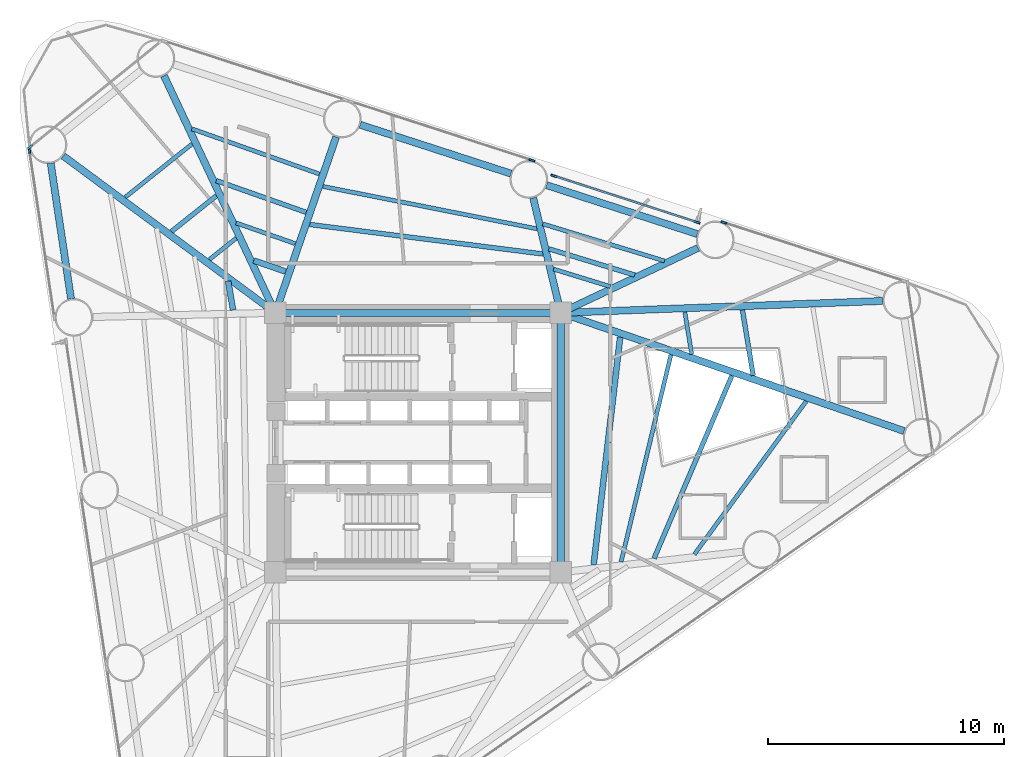
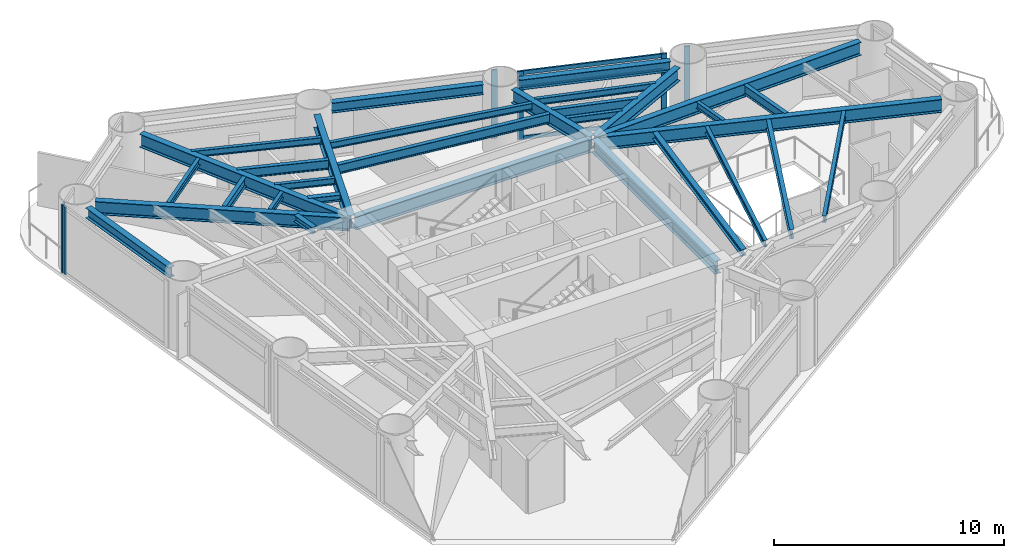
# One storey, part 3 of 9: 31 beams, 9 members, 5 elements without a shape of their own.
"""IFC4 building model written with IfcOpenShell, lengths in metres."""

import ifcopenshell
import ifcopenshell.guid

model = None  # the IFC model being written
_history = None  # IfcOwnerHistory: only IFC2X3 demands one
_inside = {}  # id of a spatial element -> (the spatial element, [elements in it])
_under = {}  # id of a project, library or spatial element -> (it, [spatial elements below it])
_declared = {}  # id of a project -> (the project, [libraries it declares])
_typed = {}  # id of a type object -> (the type object, [elements of that type])
_made_of = {}  # id of a material, layer set ... -> (it, [elements and type objects made of it])


def new_model(schema):
    """Start an empty IFC model of exactly this schema.

    Asked for "IFC4X3", IfcOpenShell would pick the latest addendum, in which some entities
    have other attributes; the version numbers below select the first issue.
    IFC2X3 requires an IfcOwnerHistory on every rooted entity: one is made here for all.
    """
    global model, _history
    if schema == "IFC4X3":
        model = ifcopenshell.file(schema_version=(4, 3, 0, 0))
    else:
        model = ifcopenshell.file(schema=schema)
    _inside.clear()
    _under.clear()
    _declared.clear()
    _typed.clear()
    _made_of.clear()
    _history = None
    if model.schema == "IFC2X3":
        org = make("IfcOrganization", Name="unknown")
        user = make(
            "IfcPersonAndOrganization",
            ThePerson=make("IfcPerson", FamilyName="unknown"),
            TheOrganization=org,
        )
        app = make(
            "IfcApplication",
            ApplicationDeveloper=org,
            Version="unknown",
            ApplicationFullName="unknown",
            ApplicationIdentifier="unknown",
        )
        _history = make(
            "IfcOwnerHistory",
            OwningUser=user,
            OwningApplication=app,
            ChangeAction="ADDED",
            CreationDate=0,
        )
    return model


def make(cls, **values):
    """One entity of the class cls with the attributes given. An attribute that is None is left unset."""
    return model.create_entity(
        cls, **{name: value for name, value in values.items() if value is not None}
    )


def rooted(cls, **values):
    """An entity with a GlobalId (a new one), such as an element, a storey or a relation."""
    return make(cls, GlobalId=ifcopenshell.guid.new(), OwnerHistory=_history, **values)


def si_unit(unit_type, name, prefix=None):
    """IfcSIUnit, for example si_unit("LENGTHUNIT", "METRE", prefix="MILLI")."""
    return make("IfcSIUnit", UnitType=unit_type, Prefix=prefix, Name=name)


def assignment(units):
    """IfcUnitAssignment: the units of a project."""
    return None if units is None else make("IfcUnitAssignment", Units=units)


def point(xyz):
    """IfcCartesianPoint."""
    return None if xyz is None else make("IfcCartesianPoint", Coordinates=xyz)


def direction(xyz):
    """IfcDirection."""
    return None if xyz is None else make("IfcDirection", DirectionRatios=xyz)


def frame(location, z_axis=None, x_axis=None):
    """IfcAxis2Placement3D, a coordinate frame: its origin and axes. An axis left out is left unset."""
    return make(
        "IfcAxis2Placement3D",
        Location=point(location),
        Axis=direction(z_axis),
        RefDirection=direction(x_axis),
    )


def frame_2d(location, x_axis=None):
    """IfcAxis2Placement2D, a coordinate frame in the plane: its origin and x axis."""
    return make(
        "IfcAxis2Placement2D", Location=point(location), RefDirection=direction(x_axis)
    )


def origin():
    """The frame at (0, 0, 0) with its axes left unset."""
    return frame((0.0, 0.0, 0.0))


def origin_2d():
    """The frame at (0, 0) in the plane with its x axis left unset."""
    return frame_2d((0.0, 0.0))


def place(relative_to, where):
    """IfcLocalPlacement: puts the frame where relative to a parent placement (None: the world)."""
    return make(
        "IfcLocalPlacement", PlacementRelTo=relative_to, RelativePlacement=where
    )


def context(
    kind, dimensions, precision=None, world=None, true_north=None, identifier=None
):
    """IfcGeometricRepresentationContext, for example the 3D "Model" context."""
    return make(
        "IfcGeometricRepresentationContext",
        ContextIdentifier=identifier,
        ContextType=kind,
        CoordinateSpaceDimension=dimensions,
        Precision=precision,
        WorldCoordinateSystem=world,
        TrueNorth=true_north,
    )


def subcontext(parent, identifier, kind, view, scale=None):
    """IfcGeometricRepresentationSubContext, for example "Body" below "Model"."""
    return make(
        "IfcGeometricRepresentationSubContext",
        ContextIdentifier=identifier,
        ContextType=kind,
        ParentContext=parent,
        TargetScale=scale,
        TargetView=view,
    )


def project(units=None, contexts=None):
    """IfcProject with its units and contexts."""
    return rooted(
        "IfcProject",
        Name="project",
        RepresentationContexts=contexts,
        UnitsInContext=assignment(units),
    )


def spatial(cls, under=None, at=None, **own):
    """A site, building, storey or space (cls), placed at a placement, below another one or the project."""
    s = rooted(cls, ObjectPlacement=at, **own)
    if under is not None:
        _under.setdefault(under.id(), (under, []))[1].append(s)
    return s


def profile(cls, at=None, kind="AREA", **sizes):
    """A parametric profile (cls). Its sizes go by their IFC names, for example OverallWidth=200.0."""
    return make(cls, ProfileType=kind, Position=at, **sizes)


def rectangle(**sizes):
    """IfcRectangleProfileDef."""
    return profile("IfcRectangleProfileDef", **sizes)


def i_section(**sizes):
    """IfcIShapeProfileDef."""
    return profile("IfcIShapeProfileDef", **sizes)


def extrude(swept, where, along, depth):
    """IfcExtrudedAreaSolid: the profile swept, set in the frame where, extruded along a direction by depth."""
    return make(
        "IfcExtrudedAreaSolid",
        SweptArea=swept,
        Position=where,
        ExtrudedDirection=direction(along),
        Depth=depth,
    )


def shape(context_of_items, identifier, shape_type, items):
    """IfcShapeRepresentation: the items that make up one representation, for example the "Body"."""
    return make(
        "IfcShapeRepresentation",
        ContextOfItems=context_of_items,
        RepresentationIdentifier=identifier,
        RepresentationType=shape_type,
        Items=items,
    )


def source(mapping_origin, context_of_items, identifier, shape_type, items):
    """IfcRepresentationMap: a shape defined once, which mapped items show again and again."""
    return make(
        "IfcRepresentationMap",
        MappingOrigin=mapping_origin,
        MappedRepresentation=shape(context_of_items, identifier, shape_type, items),
    )


def transform(
    local_origin,
    x_axis=None,
    y_axis=None,
    z_axis=None,
    scale=None,
    scale2=None,
    scale3=None,
    uniform=True,
):
    """IfcCartesianTransformationOperator3D, or its non-uniform kind. x_axis, y_axis, z_axis: its Axis1, 2, 3."""
    if uniform:
        return make(
            "IfcCartesianTransformationOperator3D",
            Axis1=direction(x_axis),
            Axis2=direction(y_axis),
            LocalOrigin=point(local_origin),
            Scale=scale,
            Axis3=direction(z_axis),
        )
    return make(
        "IfcCartesianTransformationOperator3DnonUniform",
        Axis1=direction(x_axis),
        Axis2=direction(y_axis),
        LocalOrigin=point(local_origin),
        Scale=scale,
        Axis3=direction(z_axis),
        Scale2=scale2,
        Scale3=scale3,
    )


def mapped(mapping_source, mapping_target):
    """IfcMappedItem: shows the shape of a source again, moved by a transform."""
    return make(
        "IfcMappedItem", MappingSource=mapping_source, MappingTarget=mapping_target
    )


def material(Name=None, Category=None):
    """IfcMaterial."""
    return make("IfcMaterial", Name=Name, Category=Category)


def layer(
    of_material, thickness, ventilated=None, Name=None, Category=None, Priority=None
):
    """IfcMaterialLayer: one layer of a wall or slab, of a material (None: an air gap)."""
    return make(
        "IfcMaterialLayer",
        Material=of_material,
        LayerThickness=thickness,
        IsVentilated=ventilated,
        Name=Name,
        Category=Category,
        Priority=Priority,
    )


def layer_set(layers, Name=None):
    """IfcMaterialLayerSet."""
    return make("IfcMaterialLayerSet", MaterialLayers=layers, LayerSetName=Name)


def material_profile(
    of_material, cross_section, Name=None, Category=None, Priority=None
):
    """IfcMaterialProfile: a cross section and its material."""
    return make(
        "IfcMaterialProfile",
        Name=Name,
        Material=of_material,
        Profile=cross_section,
        Priority=Priority,
        Category=Category,
    )


def profile_set(profiles, Name=None, composite=None):
    """IfcMaterialProfileSet."""
    return make(
        "IfcMaterialProfileSet",
        Name=Name,
        MaterialProfiles=profiles,
        CompositeProfile=composite,
    )


def made_of(thing, what):
    """Note that an element or type object is made of a material, layer set ...; save() writes the relation."""
    if what is not None:
        _made_of.setdefault(what.id(), (what, []))[1].append(thing)
    return thing


def type_object(cls, material=None, **own):
    """A type object (cls), such as IfcWallType, which elements share."""
    return made_of(rooted(cls, **own), material)


def element(
    cls,
    number,
    at=None,
    inside=None,
    cuts=None,
    type_object=None,
    material=None,
    context=None,
    identifier="Body",
    shape_type=None,
    held_by="IfcProductDefinitionShape",
    body=None,
    shapes=None,
    **own,
):
    """One element of the class cls, such as IfcWall. Its Tag is "e" and its number.

    at: its placement. inside: the storey or other place that contains it. cuts: it is an
    opening in that element (IfcRelVoidsElement). A single representation is given by context,
    identifier, shape_type and body (its items); several are given by shapes. held_by: the class
    of the entity that holds the representations. save() writes the other relations.
    """
    e = rooted(cls, Tag="e%d" % number, ObjectPlacement=at, **own)
    if body is not None:
        shapes = [shape(context, identifier, shape_type, body)]
    if shapes is not None:
        e.Representation = make(held_by, Representations=shapes)
    if inside is not None:
        _inside.setdefault(inside.id(), (inside, []))[1].append(e)
    if cuts is not None:
        rooted(
            "IfcRelVoidsElement", RelatingBuildingElement=cuts, RelatedOpeningElement=e
        )
    if type_object is not None:
        _typed.setdefault(type_object.id(), (type_object, []))[1].append(e)
    return made_of(e, material)


def aggregate(whole, parts):
    """IfcRelAggregates: a whole, such as a stair, and the parts it consists of."""
    return rooted("IfcRelAggregates", RelatingObject=whole, RelatedObjects=parts)


def save(model, path):
    """Write the relations noted so far, then the file.

    IfcRelAggregates (storeys below a building ...), IfcRelContainedInSpatialStructure (elements
    in a storey), IfcRelDefinesByType, IfcRelAssociatesMaterial and IfcRelDeclares: one each for
    every whole, place, type object, material and project.
    """
    for whole, parts in _under.values():
        aggregate(whole, parts)
    for where, things in _inside.values():
        rooted(
            "IfcRelContainedInSpatialStructure",
            RelatedElements=things,
            RelatingStructure=where,
        )
    for kind, things in _typed.values():
        rooted("IfcRelDefinesByType", RelatedObjects=things, RelatingType=kind)
    for what, things in _made_of.values():
        rooted("IfcRelAssociatesMaterial", RelatedObjects=things, RelatingMaterial=what)
    for by, libraries in _declared.values():
        rooted("IfcRelDeclares", RelatingContext=by, RelatedDefinitions=libraries)
    model.write(path)


model = new_model("IFC4")

# Units and contexts
model_context = context("Model", 3, precision=1e-05, world=origin(), true_north=direction((0.0, 1.0)))
body_context = subcontext(model_context, "Body", "Model", "MODEL_VIEW")
ifc_project = project(units=[si_unit("LENGTHUNIT", "METRE"), si_unit("AREAUNIT", "SQUARE_METRE"), si_unit("VOLUMEUNIT", "CUBIC_METRE"), si_unit("PLANEANGLEUNIT", "RADIAN"), si_unit("MASSUNIT", "GRAM", prefix="KILO")], contexts=[model_context])

# Site, building, storey
site_placement = place(None, origin())
site = spatial("IfcSite", under=ifc_project, at=site_placement, CompositionType="ELEMENT")
building_placement = place(site_placement, origin())
building = spatial("IfcBuilding", under=site, at=building_placement, Name="Yunling Apex Tower", CompositionType="ELEMENT")
storey_placement = place(building_placement, frame((0.0, 0.0, 81.050048828125)))
storey = spatial("IfcBuildingStorey", under=building, at=storey_placement, Name="L21", CompositionType="ELEMENT", Elevation=81.050048828125)

# Beams
ifc_material_1 = material(Name="Steel Q355B", Category="steel")
ifc_material_profile_1 = material_profile(ifc_material_1, i_section(OverallWidth=0.300048828125, OverallDepth=0.699951171875, WebThickness=0.012939453125, FlangeThickness=0.02392578125, FilletRadius=0.02587890625, at=origin_2d()))
ifc_profile_set_1 = profile_set([ifc_material_profile_1], Name="Steel Q355B")
beam_type_1 = type_object("IfcBeamType", Name="BG-PRI-3", PredefinedType="USERDEFINED", material=ifc_profile_set_1)
shared_shape_1 = source(origin(), body_context, "Body", "SweptSolid", [
    extrude(i_section(OverallWidth=0.300048828125, OverallDepth=0.699951171875, WebThickness=0.012939453125, FlangeThickness=0.02392578125, FilletRadius=0.02587890625, at=origin_2d()), origin(), (0.0, 0.0, 1.0), 11.7998046875),
])
beam_1_placement = place(storey_placement, frame((5.89990234375, 5.5, 3.179931640625), z_axis=(-1.0, 0.0, 0.0), x_axis=(0.0, -1.0, 0.0)))
element("IfcBeam", 1, at=beam_1_placement, inside=storey, type_object=beam_type_1, Name="L21 Core Ring Tie Beam 3", ObjectType="GIRDER", PredefinedType="USERDEFINED", context=body_context, shape_type="MappedRepresentation", body=[
    mapped(shared_shape_1, transform((0.0, 0.0, 0.0), scale=1.0)),
])
shared_shape_2 = source(origin(), body_context, "Body", "SweptSolid", [
    extrude(i_section(OverallWidth=0.300048828125, OverallDepth=0.699951171875, WebThickness=0.012939453125, FlangeThickness=0.02392578125, FilletRadius=0.02587890625, at=origin_2d()), origin(), (0.0, 0.0, 1.0), 10.7001953125),
])
beam_2_placement = place(storey_placement, frame((6.050048828125, -5.35009765625, 3.179931640625), z_axis=(0.0, 1.0, 0.0), x_axis=(-1.0, 0.0, 0.0)))
element("IfcBeam", 2, at=beam_2_placement, inside=storey, type_object=beam_type_1, Name="L21 Core Ring Tie Beam 2", ObjectType="GIRDER", PredefinedType="USERDEFINED", context=body_context, shape_type="MappedRepresentation", body=[
    mapped(shared_shape_2, transform((0.0, 0.0, 0.0), scale=1.0)),
])
ifc_material_profile_2 = material_profile(ifc_material_1, i_section(OverallWidth=0.300048828125, OverallDepth=0.5400390625, WebThickness=0.011962890625, FlangeThickness=0.02001953125, FilletRadius=0.02392578125, at=origin_2d()))
ifc_profile_set_2 = profile_set([ifc_material_profile_2], Name="Steel Q355B")
beam_type_2 = type_object("IfcBeamType", Name="BP-SPN-1", PredefinedType="SPANDREL", material=ifc_profile_set_2)
shared_shape_3 = source(origin(), body_context, "Body", "SweptSolid", [
    extrude(i_section(OverallWidth=0.300048828125, OverallDepth=0.5400390625, WebThickness=0.011962890625, FlangeThickness=0.02001953125, FilletRadius=0.02392578125, at=origin_2d()), origin(), (0.0, 0.0, 1.0), 6.721435546875),
])
beam_3_placement = place(storey_placement, frame((3.939453125, 11.401611328125, 3.260009765625), z_axis=(-0.95126256707, 0.308382114415, 0.0), x_axis=(-0.308382114415, -0.95126256707, 0.0)))
element("IfcBeam", 3, at=beam_3_placement, inside=storey, type_object=beam_type_2, Name="L21 Perimeter Spandrel Beam 8", PredefinedType="SPANDREL", context=body_context, shape_type="MappedRepresentation", body=[
    mapped(shared_shape_3, transform((0.0, 0.0, 0.0), scale=1.0)),
])
shared_shape_4 = source(origin(), body_context, "Body", "SweptSolid", [
    extrude(i_section(OverallWidth=0.300048828125, OverallDepth=0.5400390625, WebThickness=0.011962890625, FlangeThickness=0.02001953125, FilletRadius=0.02392578125, at=origin_2d()), origin(), (0.0, 0.0, 1.0), 6.72119140625),
])
beam_4_placement = place(storey_placement, frame((11.84375, 8.83935546875, 3.260009765625), z_axis=(-0.951259112593, 0.308392770197, 0.0), x_axis=(-0.308392770197, -0.951259112593, 0.0)))
element("IfcBeam", 4, at=beam_4_placement, inside=storey, type_object=beam_type_2, Name="L21 Perimeter Spandrel Beam 7", PredefinedType="SPANDREL", context=body_context, shape_type="MappedRepresentation", body=[
    mapped(shared_shape_4, transform((0.0, 0.0, 0.0), scale=1.0)),
])
shared_shape_5 = source(origin(), body_context, "Body", "SweptSolid", [
    extrude(i_section(OverallWidth=0.300048828125, OverallDepth=0.5400390625, WebThickness=0.011962890625, FlangeThickness=0.02001953125, FilletRadius=0.02392578125, at=origin_2d()), origin(), (0.0, 0.0, 1.0), 5.81689453125),
])
beam_5_placement = place(storey_placement, frame((-15.57177734375, 11.84423828125, 3.260009765625), z_axis=(0.147823230204, -0.989013797989, 0.0), x_axis=(0.989013797989, 0.147823230204, 0.0)))
element("IfcBeam", 5, at=beam_5_placement, inside=storey, type_object=beam_type_2, Name="L21 Perimeter Spandrel Beam 11", PredefinedType="SPANDREL", context=body_context, shape_type="MappedRepresentation", body=[
    mapped(shared_shape_5, transform((0.0, 0.0, 0.0), scale=1.0)),
])
shared_shape_6 = source(origin(), body_context, "Body", "SweptSolid", [
    extrude(i_section(OverallWidth=0.300048828125, OverallDepth=0.699951171875, WebThickness=0.012939453125, FlangeThickness=0.02392578125, FilletRadius=0.02587890625, at=origin_2d()), origin(), (0.0, 0.0, 1.0), 13.575439453125),
])
beam_6_placement = place(storey_placement, frame((19.696044921875, 6.002685546875, 3.179931640625), z_axis=(-0.99932215556, -0.036813440575, 0.0), x_axis=(0.036813440575, -0.99932215556, 0.0)))
element("IfcBeam", 6, at=beam_6_placement, inside=storey, type_object=beam_type_1, Name="L21 Radial Primary Girder R06", ObjectType="GIRDER", PredefinedType="USERDEFINED", context=body_context, shape_type="MappedRepresentation", body=[
    mapped(shared_shape_6, transform((0.0, 0.0, 0.0), scale=1.0)),
])
shared_shape_7 = source(origin(), body_context, "Body", "SweptSolid", [
    extrude(i_section(OverallWidth=0.300048828125, OverallDepth=0.699951171875, WebThickness=0.012939453125, FlangeThickness=0.02392578125, FilletRadius=0.02587890625, at=origin_2d()), origin(), (0.0, 0.0, 1.0), 6.35546875),
])
beam_7_placement = place(storey_placement, frame((11.86865234375, 8.24951171875, 3.179931640625), z_axis=(-0.90414025985, -0.427235755196, 0.0), x_axis=(0.427235755196, -0.90414025985, 0.0)))
element("IfcBeam", 7, at=beam_7_placement, inside=storey, type_object=beam_type_1, Name="L21 Radial Primary Girder R07", ObjectType="GIRDER", PredefinedType="USERDEFINED", context=body_context, shape_type="MappedRepresentation", body=[
    mapped(shared_shape_7, transform((0.0, 0.0, 0.0), scale=1.0)),
])
shared_shape_8 = source(origin(), body_context, "Body", "SweptSolid", [
    extrude(i_section(OverallWidth=0.300048828125, OverallDepth=0.699951171875, WebThickness=0.012939453125, FlangeThickness=0.02392578125, FilletRadius=0.02587890625, at=origin_2d()), origin(), (0.0, 0.0, 1.0), 4.928955078125),
])
beam_8_placement = place(storey_placement, frame((4.883056640625, 10.37109375, 3.179931640625), z_axis=(0.233002001977, -0.972476255276, 0.0), x_axis=(0.972476255276, 0.233002001977, 0.0)))
element("IfcBeam", 8, at=beam_8_placement, inside=storey, type_object=beam_type_1, Name="L21 Radial Primary Girder R08", ObjectType="GIRDER", PredefinedType="USERDEFINED", context=body_context, shape_type="MappedRepresentation", body=[
    mapped(shared_shape_8, transform((0.0, 0.0, 0.0), scale=1.0)),
])
shared_shape_9 = source(origin(), body_context, "Body", "SweptSolid", [
    extrude(i_section(OverallWidth=0.300048828125, OverallDepth=0.699951171875, WebThickness=0.012939453125, FlangeThickness=0.02392578125, FilletRadius=0.02587890625, at=origin_2d()), origin(), (0.0, 0.0, 1.0), 7.807861328125),
])
beam_9_placement = place(storey_placement, frame((-3.473388671875, 12.955322265625, 3.179931640625), z_axis=(-0.326658398033, -0.945142471268, 0.0), x_axis=(0.945142471268, -0.326658398033, 0.0)))
element("IfcBeam", 9, at=beam_9_placement, inside=storey, type_object=beam_type_1, Name="L21 Radial Primary Girder R09", ObjectType="GIRDER", PredefinedType="USERDEFINED", context=body_context, shape_type="MappedRepresentation", body=[
    mapped(shared_shape_9, transform((0.0, 0.0, 0.0), scale=1.0)),
])
shared_shape_10 = source(origin(), body_context, "Body", "SweptSolid", [
    extrude(i_section(OverallWidth=0.300048828125, OverallDepth=0.699951171875, WebThickness=0.012939453125, FlangeThickness=0.02392578125, FilletRadius=0.02587890625, at=origin_2d()), origin(), (0.0, 0.0, 1.0), 11.0234375),
])
beam_10_placement = place(storey_placement, frame((-10.7705078125, 15.550048828125, 3.179931640625), z_axis=(0.425144169149, -0.905125646216, 0.0), x_axis=(0.905125646216, 0.425144169149, 0.0)))
element("IfcBeam", 10, at=beam_10_placement, inside=storey, type_object=beam_type_1, Name="L21 Radial Primary Girder R10", ObjectType="GIRDER", PredefinedType="USERDEFINED", context=body_context, shape_type="MappedRepresentation", body=[
    mapped(shared_shape_10, transform((0.0, 0.0, 0.0), scale=1.0)),
])
shared_shape_11 = source(origin(), body_context, "Body", "SweptSolid", [
    extrude(i_section(OverallWidth=0.300048828125, OverallDepth=0.699951171875, WebThickness=0.012939453125, FlangeThickness=0.02392578125, FilletRadius=0.02587890625, at=origin_2d()), origin(), (0.0, 0.0, 1.0), 11.101318359375),
])
beam_11_placement = place(storey_placement, frame((-15.03955078125, 12.14892578125, 3.179931640625), z_axis=(0.803988254112, -0.594645177606, 0.0), x_axis=(0.594645177606, 0.803988254112, 0.0)))
element("IfcBeam", 11, at=beam_11_placement, inside=storey, type_object=beam_type_1, Name="L21 Radial Primary Girder R11", ObjectType="GIRDER", PredefinedType="USERDEFINED", context=body_context, shape_type="MappedRepresentation", body=[
    mapped(shared_shape_11, transform((0.0, 0.0, 0.0), scale=1.0)),
])
ifc_material_profile_3 = material_profile(ifc_material_1, i_section(OverallWidth=0.199951171875, OverallDepth=0.5, WebThickness=0.010009765625, FlangeThickness=0.01611328125, FilletRadius=0.02001953125, at=origin_2d()))
ifc_profile_set_3 = profile_set([ifc_material_profile_3], Name="Steel Q355B")
beam_type_3 = type_object("IfcBeamType", Name="BS-SEC-2", PredefinedType="BEAM", material=ifc_profile_set_3)
shared_shape_12 = source(origin(), body_context, "Body", "SweptSolid", [
    extrude(i_section(OverallWidth=0.199951171875, OverallDepth=0.5, WebThickness=0.010009765625, FlangeThickness=0.01611328125, FilletRadius=0.02001953125, at=origin_2d()), origin(), (0.0, 0.0, 1.0), 3.812255859375),
])
beam_12_placement = place(storey_placement, frame((9.187255859375, 7.1015625, 3.280029296875), z_axis=(-0.956390339833, 0.292091625819, 0.0), x_axis=(-0.292091625819, -0.956390339833, 0.0)))
element("IfcBeam", 12, at=beam_12_placement, inside=storey, type_object=beam_type_3, Name="L21 Composite Floor Beam BS-7", PredefinedType="BEAM", context=body_context, shape_type="MappedRepresentation", body=[
    mapped(shared_shape_12, transform((0.0, 0.0, 0.0), scale=1.0)),
])
ifc_material_profile_4 = material_profile(ifc_material_1, i_section(OverallWidth=0.175048828125, OverallDepth=0.35009765625, WebThickness=0.007080078125, FlangeThickness=0.010986328125, FilletRadius=0.013916015625, at=origin_2d()))
ifc_profile_set_4 = profile_set([ifc_material_profile_4], Name="Steel Q355B")
beam_type_4 = type_object("IfcBeamType", Name="BJ-JST-1", PredefinedType="JOIST", material=ifc_profile_set_4)
shared_shape_13 = source(origin(), body_context, "Body", "SweptSolid", [
    extrude(i_section(OverallWidth=0.175048828125, OverallDepth=0.35009765625, WebThickness=0.007080078125, FlangeThickness=0.010986328125, FilletRadius=0.013916015625, at=origin_2d()), origin(), (0.0, 0.0, 1.0), 5.396484375),
])
beam_13_placement = place(storey_placement, frame((10.451416015625, 7.698486328125, 3.35498046875), z_axis=(-0.95665799, 0.291213822077, 0.0), x_axis=(-0.291213822077, -0.95665799, 0.0)))
element("IfcBeam", 13, at=beam_13_placement, inside=storey, type_object=beam_type_4, Name="L21 Composite Floor Joist BJ1-7", PredefinedType="JOIST", context=body_context, shape_type="MappedRepresentation", body=[
    mapped(shared_shape_13, transform((0.0, 0.0, 0.0), scale=1.0)),
])
shared_shape_14 = source(origin(), body_context, "Body", "SweptSolid", [
    extrude(i_section(OverallWidth=0.175048828125, OverallDepth=0.35009765625, WebThickness=0.007080078125, FlangeThickness=0.010986328125, FilletRadius=0.013916015625, at=origin_2d()), origin(), (0.0, 0.0, 1.0), 2.516357421875),
])
beam_14_placement = place(storey_placement, frame((8.153076171875, 6.613037109375, 3.35498046875), z_axis=(-0.955871264671, 0.293785849515, 0.0), x_axis=(-0.293785849515, -0.955871264671, 0.0)))
element("IfcBeam", 14, at=beam_14_placement, inside=storey, type_object=beam_type_4, Name="L21 Composite Floor Joist BJ3-7", PredefinedType="JOIST", context=body_context, shape_type="MappedRepresentation", body=[
    mapped(shared_shape_14, transform((0.0, 0.0, 0.0), scale=1.0)),
])
shared_shape_15 = source(origin(), body_context, "Body", "SweptSolid", [
    extrude(i_section(OverallWidth=0.199951171875, OverallDepth=0.5, WebThickness=0.010009765625, FlangeThickness=0.01611328125, FilletRadius=0.02001953125, at=origin_2d()), origin(), (0.0, 0.0, 1.0), 9.967529296875),
])
beam_15_placement = place(storey_placement, frame((5.298583984375, 7.994384765625, 3.280029296875), z_axis=(-0.992092895005, 0.125505727681, 0.0), x_axis=(-0.125505727681, -0.992092895005, 0.0)))
element("IfcBeam", 15, at=beam_15_placement, inside=storey, type_object=beam_type_3, Name="L21 Composite Floor Beam BS-8", PredefinedType="BEAM", context=body_context, shape_type="MappedRepresentation", body=[
    mapped(shared_shape_15, transform((0.0, 0.0, 0.0), scale=1.0)),
])
shared_shape_16 = source(origin(), body_context, "Body", "SweptSolid", [
    extrude(i_section(OverallWidth=0.175048828125, OverallDepth=0.35009765625, WebThickness=0.007080078125, FlangeThickness=0.010986328125, FilletRadius=0.013916015625, at=origin_2d()), origin(), (0.0, 0.0, 1.0), 9.254638671875),
])
beam_16_placement = place(storey_placement, frame((5.047607421875, 9.06005859375, 3.35498046875), z_axis=(-0.98094926536, 0.194264095472, 0.0), x_axis=(-0.194264095472, -0.98094926536, 0.0)))
element("IfcBeam", 16, at=beam_16_placement, inside=storey, type_object=beam_type_4, Name="L21 Composite Floor Joist BJ1-8", PredefinedType="JOIST", context=body_context, shape_type="MappedRepresentation", body=[
    mapped(shared_shape_16, transform((0.0, 0.0, 0.0), scale=1.0)),
])
shared_shape_17 = source(origin(), body_context, "Body", "SweptSolid", [
    extrude(i_section(OverallWidth=0.199951171875, OverallDepth=0.5, WebThickness=0.010009765625, FlangeThickness=0.01611328125, FilletRadius=0.02001953125, at=origin_2d()), origin(), (0.0, 0.0, 1.0), 4.04150390625),
])
beam_17_placement = place(storey_placement, frame((-4.74658203125, 9.761474609375, 3.280029296875), z_axis=(-0.942979180686, 0.332851715924, 0.0), x_axis=(-0.332851715924, -0.942979180686, 0.0)))
element("IfcBeam", 17, at=beam_17_placement, inside=storey, type_object=beam_type_3, Name="L21 Composite Floor Beam BS-9", PredefinedType="BEAM", context=body_context, shape_type="MappedRepresentation", body=[
    mapped(shared_shape_17, transform((0.0, 0.0, 0.0), scale=1.0)),
])
shared_shape_18 = source(origin(), body_context, "Body", "SweptSolid", [
    extrude(i_section(OverallWidth=0.175048828125, OverallDepth=0.35009765625, WebThickness=0.007080078125, FlangeThickness=0.010986328125, FilletRadius=0.013916015625, at=origin_2d()), origin(), (0.0, 0.0, 1.0), 5.733154296875),
])
beam_18_placement = place(storey_placement, frame((-4.185302734375, 11.38525390625, 3.35498046875), z_axis=(-0.942485311423, 0.334247569553, 0.0), x_axis=(-0.334247569553, -0.942485311423, 0.0)))
element("IfcBeam", 18, at=beam_18_placement, inside=storey, type_object=beam_type_4, Name="L21 Composite Floor Joist BJ1-9", PredefinedType="JOIST", context=body_context, shape_type="MappedRepresentation", body=[
    mapped(shared_shape_18, transform((0.0, 0.0, 0.0), scale=1.0)),
])
shared_shape_19 = source(origin(), body_context, "Body", "SweptSolid", [
    extrude(i_section(OverallWidth=0.175048828125, OverallDepth=0.35009765625, WebThickness=0.007080078125, FlangeThickness=0.010986328125, FilletRadius=0.013916015625, at=origin_2d()), origin(), (0.0, 0.0, 1.0), 2.657470703125),
])
beam_19_placement = place(storey_placement, frame((-5.205810546875, 8.432861328125, 3.35498046875), z_axis=(-0.943816811427, 0.330469100623, 0.0), x_axis=(-0.330469100623, -0.943816811427, 0.0)))
element("IfcBeam", 19, at=beam_19_placement, inside=storey, type_object=beam_type_4, Name="L21 Composite Floor Joist BJ3-9", PredefinedType="JOIST", context=body_context, shape_type="MappedRepresentation", body=[
    mapped(shared_shape_19, transform((0.0, 0.0, 0.0), scale=1.0)),
])
ifc_material_profile_5 = material_profile(ifc_material_1, i_section(OverallWidth=0.25, OverallDepth=0.340087890625, WebThickness=0.009033203125, FlangeThickness=0.013916015625, FilletRadius=0.01806640625, at=origin_2d()))
ifc_profile_set_5 = profile_set([ifc_material_profile_5], Name="Steel Q355B")
beam_type_5 = type_object("IfcBeamType", Name="BJ-JST-2", PredefinedType="JOIST", material=ifc_profile_set_5)
shared_shape_20 = source(origin(), body_context, "Body", "SweptSolid", [
    extrude(i_section(OverallWidth=0.25, OverallDepth=0.340087890625, WebThickness=0.009033203125, FlangeThickness=0.013916015625, FilletRadius=0.01806640625, at=origin_2d()), origin(), (0.0, 0.0, 1.0), 1.42724609375),
])
beam_20_placement = place(storey_placement, frame((-5.614013671875, 7.251220703125, 3.35986328125), z_axis=(-0.94564715029, 0.325194506639, 0.0), x_axis=(-0.325194506639, -0.94564715029, 0.0)))
element("IfcBeam", 20, at=beam_20_placement, inside=storey, type_object=beam_type_5, Name="L21 Composite Floor Joist BJ2-9", PredefinedType="JOIST", context=body_context, shape_type="MappedRepresentation", body=[
    mapped(shared_shape_20, transform((0.0, 0.0, 0.0), scale=1.0)),
])
shared_shape_21 = source(origin(), body_context, "Body", "SweptSolid", [
    extrude(i_section(OverallWidth=0.199951171875, OverallDepth=0.5, WebThickness=0.010009765625, FlangeThickness=0.01611328125, FilletRadius=0.02001953125, at=origin_2d()), origin(), (0.0, 0.0, 1.0), 2.4287109375),
])
beam_21_placement = place(storey_placement, frame((-8.552490234375, 10.46142578125, 3.280029296875), z_axis=(-0.782093234133, -0.62316143424, 0.0), x_axis=(0.62316143424, -0.782093234133, 0.0)))
element("IfcBeam", 21, at=beam_21_placement, inside=storey, type_object=beam_type_3, Name="L21 Composite Floor Beam BS-10", PredefinedType="BEAM", context=body_context, shape_type="MappedRepresentation", body=[
    mapped(shared_shape_21, transform((0.0, 0.0, 0.0), scale=1.0)),
])
shared_shape_22 = source(origin(), body_context, "Body", "SweptSolid", [
    extrude(i_section(OverallWidth=0.175048828125, OverallDepth=0.35009765625, WebThickness=0.007080078125, FlangeThickness=0.010986328125, FilletRadius=0.013916015625, at=origin_2d()), origin(), (0.0, 0.0, 1.0), 3.62060546875),
])
beam_22_placement = place(storey_placement, frame((-9.58349609375, 12.656494140625, 3.35498046875), z_axis=(-0.782123735438, -0.623123151925, 0.0), x_axis=(0.623123151925, -0.782123735438, 0.0)))
element("IfcBeam", 22, at=beam_22_placement, inside=storey, type_object=beam_type_4, Name="L21 Composite Floor Joist BJ1-10", PredefinedType="JOIST", context=body_context, shape_type="MappedRepresentation", body=[
    mapped(shared_shape_22, transform((0.0, 0.0, 0.0), scale=1.0)),
])
shared_shape_23 = source(origin(), body_context, "Body", "SweptSolid", [
    extrude(i_section(OverallWidth=0.175048828125, OverallDepth=0.35009765625, WebThickness=0.007080078125, FlangeThickness=0.010986328125, FilletRadius=0.013916015625, at=origin_2d()), origin(), (0.0, 0.0, 1.0), 1.453369140625),
])
beam_23_placement = place(storey_placement, frame((-7.708740234375, 8.66552734375, 3.35498046875), z_axis=(-0.78201477261, -0.62325989396, 0.0), x_axis=(0.62325989396, -0.78201477261, 0.0)))
element("IfcBeam", 23, at=beam_23_placement, inside=storey, type_object=beam_type_4, Name="L21 Composite Floor Joist BJ3-10", PredefinedType="JOIST", context=body_context, shape_type="MappedRepresentation", body=[
    mapped(shared_shape_23, transform((0.0, 0.0, 0.0), scale=1.0)),
])
shared_shape_24 = source(origin(), body_context, "Body", "SweptSolid", [
    extrude(i_section(OverallWidth=0.25, OverallDepth=0.340087890625, WebThickness=0.009033203125, FlangeThickness=0.013916015625, FilletRadius=0.01806640625, at=origin_2d()), origin(), (0.0, 0.0, 1.0), 1.242431640625),
])
beam_24_placement = place(storey_placement, frame((-8.05078125, 6.84228515625, 3.35986328125), z_axis=(0.168412893697, -0.985716540004, 0.0), x_axis=(0.985716540004, 0.168412893697, 0.0)))
element("IfcBeam", 24, at=beam_24_placement, inside=storey, type_object=beam_type_5, Name="L21 Composite Floor Joist BJ2-11", PredefinedType="JOIST", context=body_context, shape_type="MappedRepresentation", body=[
    mapped(shared_shape_24, transform((0.0, 0.0, 0.0), scale=1.0)),
])
shared_shape_25 = source(origin(), body_context, "Body", "SweptSolid", [
    extrude(i_section(OverallWidth=0.300048828125, OverallDepth=0.699951171875, WebThickness=0.012939453125, FlangeThickness=0.02392578125, FilletRadius=0.02587890625, at=origin_2d()), origin(), (0.0, 0.0, 1.0), 15.31591796875),
])
beam_25_placement = place(storey_placement, frame((20.607421875, 0.48876953125, 3.179931640625), z_axis=(-0.94554225064, 0.325499389023, 0.0), x_axis=(-0.325499389023, -0.94554225064, 0.0)))
element("IfcBeam", 25, at=beam_25_placement, inside=storey, type_object=beam_type_1, Name="L21 Radial Primary Girder R05", ObjectType="GIRDER", PredefinedType="USERDEFINED", context=body_context, shape_type="MappedRepresentation", body=[
    mapped(shared_shape_25, transform((0.0, 0.0, 0.0), scale=1.0)),
])
shared_shape_26 = source(origin(), body_context, "Body", "SweptSolid", [
    extrude(i_section(OverallWidth=0.199951171875, OverallDepth=0.5, WebThickness=0.010009765625, FlangeThickness=0.01611328125, FilletRadius=0.02001953125, at=origin_2d()), origin(), (0.0, 0.0, 1.0), 8.41845703125),
])
beam_26_placement = place(storey_placement, frame((10.006591796875, -4.91162109375, 3.280029296875), z_axis=(0.391657037193, 0.920111278714, 0.0), x_axis=(-0.920111278714, 0.391657037193, 0.0)))
element("IfcBeam", 26, at=beam_26_placement, inside=storey, type_object=beam_type_3, Name="L21 Composite Floor Beam BS-4", PredefinedType="BEAM", context=body_context, shape_type="MappedRepresentation", body=[
    mapped(shared_shape_26, transform((0.0, 0.0, 0.0), scale=1.0)),
])
shared_shape_27 = source(origin(), body_context, "Body", "SweptSolid", [
    extrude(i_section(OverallWidth=0.175048828125, OverallDepth=0.35009765625, WebThickness=0.007080078125, FlangeThickness=0.010986328125, FilletRadius=0.013916015625, at=origin_2d()), origin(), (0.0, 0.0, 1.0), 8.041015625),
])
beam_27_placement = place(storey_placement, frame((11.716796875, -4.7392578125, 3.35498046875), z_axis=(0.589622198843, 0.807679182988, 0.0), x_axis=(-0.807679182988, 0.589622198843, 0.0)))
element("IfcBeam", 27, at=beam_27_placement, inside=storey, type_object=beam_type_4, Name="L21 Composite Floor Joist BJ1-4", PredefinedType="JOIST", context=body_context, shape_type="MappedRepresentation", body=[
    mapped(shared_shape_27, transform((0.0, 0.0, 0.0), scale=1.0)),
])
shared_shape_28 = source(origin(), body_context, "Body", "SweptSolid", [
    extrude(i_section(OverallWidth=0.175048828125, OverallDepth=0.35009765625, WebThickness=0.007080078125, FlangeThickness=0.010986328125, FilletRadius=0.013916015625, at=origin_2d()), origin(), (0.0, 0.0, 1.0), 9.032958984375),
])
beam_28_placement = place(storey_placement, frame((8.6083984375, -5.058837890625, 3.35498046875), z_axis=(0.234036333789, 0.972227851106, 0.0), x_axis=(-0.972227851106, 0.234036333789, 0.0)))
element("IfcBeam", 28, at=beam_28_placement, inside=storey, type_object=beam_type_4, Name="L21 Composite Floor Joist BJ3-4", PredefinedType="JOIST", context=body_context, shape_type="MappedRepresentation", body=[
    mapped(shared_shape_28, transform((0.0, 0.0, 0.0), scale=1.0)),
])
shared_shape_29 = source(origin(), body_context, "Body", "SweptSolid", [
    extrude(i_section(OverallWidth=0.25, OverallDepth=0.340087890625, WebThickness=0.009033203125, FlangeThickness=0.013916015625, FilletRadius=0.01806640625, at=origin_2d()), origin(), (0.0, 0.0, 1.0), 9.7177734375),
])
beam_29_placement = place(storey_placement, frame((7.445068359375, -5.18505859375, 3.35986328125), z_axis=(0.115666301059, 0.993288128792, 0.0), x_axis=(-0.993288128792, 0.115666301059, 0.0)))
element("IfcBeam", 29, at=beam_29_placement, inside=storey, type_object=beam_type_5, Name="L21 Composite Floor Joist BJ2-4", PredefinedType="JOIST", context=body_context, shape_type="MappedRepresentation", body=[
    mapped(shared_shape_29, transform((0.0, 0.0, 0.0), scale=1.0)),
])
shared_shape_30 = source(origin(), body_context, "Body", "SweptSolid", [
    extrude(i_section(OverallWidth=0.199951171875, OverallDepth=0.5, WebThickness=0.010009765625, FlangeThickness=0.01611328125, FilletRadius=0.02001953125, at=origin_2d()), origin(), (0.0, 0.0, 1.0), 2.822021484375),
])
beam_30_placement = place(storey_placement, frame((14.20947265625, 2.840087890625, 3.280029296875), z_axis=(-0.161859271922, 0.986813850781, 0.0), x_axis=(-0.986813850781, -0.161859271922, 0.0)))
element("IfcBeam", 30, at=beam_30_placement, inside=storey, type_object=beam_type_3, Name="L21 Composite Floor Beam BS-5", PredefinedType="BEAM", context=body_context, shape_type="MappedRepresentation", body=[
    mapped(shared_shape_30, transform((0.0, 0.0, 0.0), scale=1.0)),
])
shared_shape_31 = source(origin(), body_context, "Body", "SweptSolid", [
    extrude(i_section(OverallWidth=0.175048828125, OverallDepth=0.35009765625, WebThickness=0.007080078125, FlangeThickness=0.010986328125, FilletRadius=0.013916015625, at=origin_2d()), origin(), (0.0, 0.0, 1.0), 1.821044921875),
])
beam_31_placement = place(storey_placement, frame((11.60302734375, 3.737548828125, 3.35498046875), z_axis=(-0.160484239118, 0.987038402999, 0.0), x_axis=(-0.987038402999, -0.160484239118, 0.0)))
element("IfcBeam", 31, at=beam_31_placement, inside=storey, type_object=beam_type_4, Name="L21 Composite Floor Joist BJ3-5", PredefinedType="JOIST", context=body_context, shape_type="MappedRepresentation", body=[
    mapped(shared_shape_31, transform((0.0, 0.0, 0.0), scale=1.0)),
])

# Curtain wall, members
ifc_material_2 = material(Name="Bronze anodised aluminium", Category="aluminium")
ifc_layer = layer(ifc_material_2, 0.260009765625)
ifc_layer_set = layer_set([ifc_layer], Name="Bronze anodised aluminium")
curtain_wall_type = type_object("IfcCurtainWallType", Name="CW-SYS-2", PredefinedType="NOTDEFINED", material=ifc_layer_set)
curtain_wall_1_placement = place(storey_placement, origin())
curtain_wall_1 = element("IfcCurtainWall", 32, at=curtain_wall_1_placement, inside=storey, type_object=curtain_wall_type, Name="CW-L21-F2-B2", PredefinedType="NOTDEFINED")
ifc_material_profile_6 = material_profile(ifc_material_2, rectangle(XDim=0.0849609375, YDim=0.199951171875, at=origin_2d()))
ifc_profile_set_6 = profile_set([ifc_material_profile_6], Name="Bronze anodised aluminium")
member_type_1 = type_object("IfcMemberType", Name="CW-TRN-2", PredefinedType="USERDEFINED", material=ifc_profile_set_6)
shared_shape_32 = source(origin(), body_context, "Body", "SweptSolid", [
    extrude(rectangle(XDim=0.0849609375, YDim=0.199951171875, at=origin_2d()), origin(), (0.0, 0.0, 1.0), 6.3076171875),
])
member_1_placement = place(storey_placement, frame((11.7919921875, 9.350341796875, 0.04248046875), z_axis=(-0.951267321757, 0.308367447306, 0.0), x_axis=(-0.308367447306, -0.951267321757, 0.0)))
member_1 = element("IfcMember", 33, at=member_1_placement, type_object=member_type_1, Name="CW-SYS-2 transom 1.1", ObjectType="TRANSOM", PredefinedType="USERDEFINED", context=body_context, shape_type="MappedRepresentation", body=[
    mapped(shared_shape_32, transform((0.0, 0.0, 0.0), scale=1.0)),
])
member_2_placement = place(storey_placement, frame((11.7919921875, 9.350341796875, 2.682861328125), z_axis=(-0.951267321757, 0.308367447306, 0.0), x_axis=(-0.308367447306, -0.951267321757, 0.0)))
member_2 = element("IfcMember", 34, at=member_2_placement, type_object=member_type_1, Name="CW-SYS-2 transom 1.2", ObjectType="TRANSOM", PredefinedType="USERDEFINED", context=body_context, shape_type="MappedRepresentation", body=[
    mapped(shared_shape_32, transform((0.0, 0.0, 0.0), scale=1.0)),
])
member_3_placement = place(storey_placement, frame((11.7919921875, 9.350341796875, 3.487548828125), z_axis=(-0.951267321757, 0.308367447306, 0.0), x_axis=(-0.308367447306, -0.951267321757, 0.0)))
member_3 = element("IfcMember", 35, at=member_3_placement, type_object=member_type_1, Name="CW-SYS-2 transom 1.3", ObjectType="TRANSOM", PredefinedType="USERDEFINED", context=body_context, shape_type="MappedRepresentation", body=[
    mapped(shared_shape_32, transform((0.0, 0.0, 0.0), scale=1.0)),
])

# Curtain wall, member
curtain_wall_2_placement = place(storey_placement, origin())
curtain_wall_2 = element("IfcCurtainWall", 36, at=curtain_wall_2_placement, inside=storey, type_object=curtain_wall_type, Name="CW-L21-F2-B1", PredefinedType="NOTDEFINED")
ifc_material_profile_7 = material_profile(ifc_material_2, rectangle(XDim=0.0849609375, YDim=0.260009765625, at=origin_2d()))
ifc_profile_set_7 = profile_set([ifc_material_profile_7], Name="Bronze anodised aluminium")
member_type_2 = type_object("IfcMemberType", Name="CW-MUL-2", PredefinedType="MULLION", material=ifc_profile_set_7)
shared_shape_33 = source(origin(), body_context, "Body", "SweptSolid", [
    extrude(rectangle(XDim=0.0849609375, YDim=0.260009765625, at=origin_2d()), origin(), (0.0, 0.0, 1.0), 3.6298828125),
])
member_4_placement = place(storey_placement, frame((12.96533203125, 9.327392578125, -0.050048828125), z_axis=(0.0, 0.0, 1.0), x_axis=(-0.30835735341, -0.951270593784, 0.0)))
member_4 = element("IfcMember", 37, at=member_4_placement, type_object=member_type_2, Name="CW-SYS-2 mullion 2", PredefinedType="MULLION", context=body_context, shape_type="MappedRepresentation", body=[
    mapped(shared_shape_33, transform((0.0, 0.0, 0.0), scale=1.0)),
])
aggregate(curtain_wall_2, [member_4])

# Member
member_5_placement = place(storey_placement, frame((11.828369140625, 9.338623046875, -0.050048828125), z_axis=(0.0, 0.0, 1.0), x_axis=(-0.308351975608, -0.951272336999, 0.0)))
member_5 = element("IfcMember", 38, at=member_5_placement, type_object=member_type_2, Name="CW-SYS-2 mullion 1", PredefinedType="MULLION", context=body_context, shape_type="MappedRepresentation", body=[
    mapped(shared_shape_33, transform((0.0, 0.0, 0.0), scale=1.0)),
])

member_6_placement = place(storey_placement, frame((5.75537109375, 11.30712890625, -0.050048828125), z_axis=(0.0, 0.0, 1.0), x_axis=(-0.308351975608, -0.951272336999, 0.0)))
member_6 = element("IfcMember", 39, at=member_6_placement, type_object=member_type_2, Name="CW-SYS-2 mullion 2", PredefinedType="MULLION", context=body_context, shape_type="MappedRepresentation", body=[
    mapped(shared_shape_33, transform((0.0, 0.0, 0.0), scale=1.0)),
])

aggregate(curtain_wall_1, [member_5, member_6, member_1, member_2, member_3])

# Curtain wall, member
curtain_wall_3_placement = place(storey_placement, origin())
curtain_wall_3 = element("IfcCurtainWall", 40, at=curtain_wall_3_placement, inside=storey, type_object=curtain_wall_type, Name="CW-L21-F2-B3", PredefinedType="NOTDEFINED")
member_7_placement = place(storey_placement, frame((4.827880859375, 11.965087890625, -0.050048828125), z_axis=(0.0, 0.0, 1.0), x_axis=(-0.308368457544, -0.951266994272, 0.0)))
member_7 = element("IfcMember", 41, at=member_7_placement, type_object=member_type_2, Name="CW-SYS-2 mullion 1", PredefinedType="MULLION", context=body_context, shape_type="MappedRepresentation", body=[
    mapped(shared_shape_33, transform((0.0, 0.0, 0.0), scale=1.0)),
])
aggregate(curtain_wall_3, [member_7])

curtain_wall_4_placement = place(storey_placement, origin())
curtain_wall_4 = element("IfcCurtainWall", 42, at=curtain_wall_4_placement, inside=storey, type_object=curtain_wall_type, Name="CW-L21-CRN2", PredefinedType="NOTDEFINED")
member_8_placement = place(storey_placement, frame((-16.4375, 12.539306640625, -0.050048828125), z_axis=(0.0, 0.0, 1.0), x_axis=(0.628079941911, -0.778148820322, 0.0)))
member_8 = element("IfcMember", 43, at=member_8_placement, type_object=member_type_2, Name="CW-SYS-2 mullion 2", PredefinedType="MULLION", context=body_context, shape_type="MappedRepresentation", body=[
    mapped(shared_shape_33, transform((0.0, 0.0, 0.0), scale=1.0)),
])
aggregate(curtain_wall_4, [member_8])

curtain_wall_5_placement = place(storey_placement, origin())
curtain_wall_5 = element("IfcCurtainWall", 44, at=curtain_wall_5_placement, inside=storey, type_object=curtain_wall_type, Name="CW-L21-F3-B1", PredefinedType="NOTDEFINED")
member_9_placement = place(storey_placement, frame((-16.47216796875, 12.388671875, -0.050048828125), z_axis=(0.0, 0.0, 1.0), x_axis=(0.989017400941, 0.147799122579, 0.0)))
member_9 = element("IfcMember", 45, at=member_9_placement, type_object=member_type_2, Name="CW-SYS-2 mullion 1", PredefinedType="MULLION", context=body_context, shape_type="MappedRepresentation", body=[
    mapped(shared_shape_33, transform((0.0, 0.0, 0.0), scale=1.0)),
])
aggregate(curtain_wall_5, [member_9])

save(model, "model.ifc")
